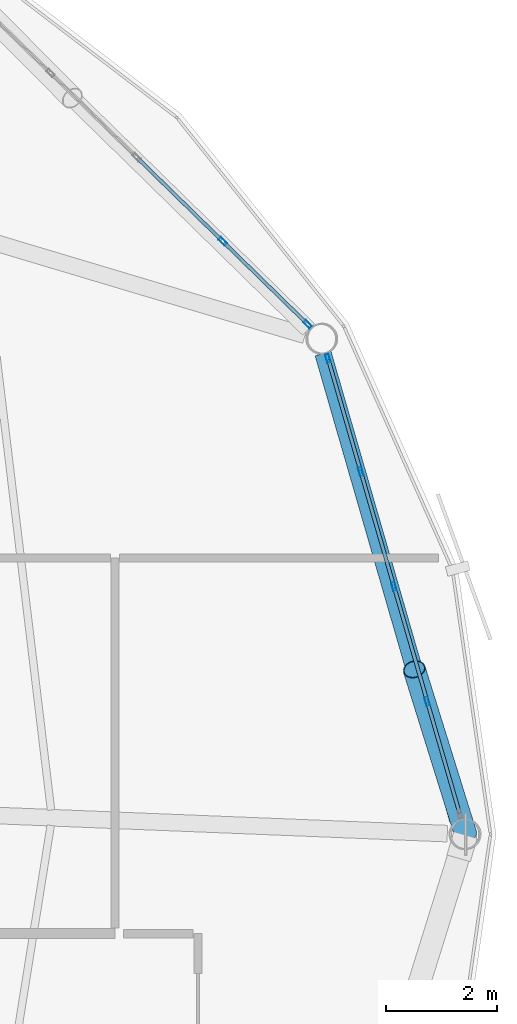
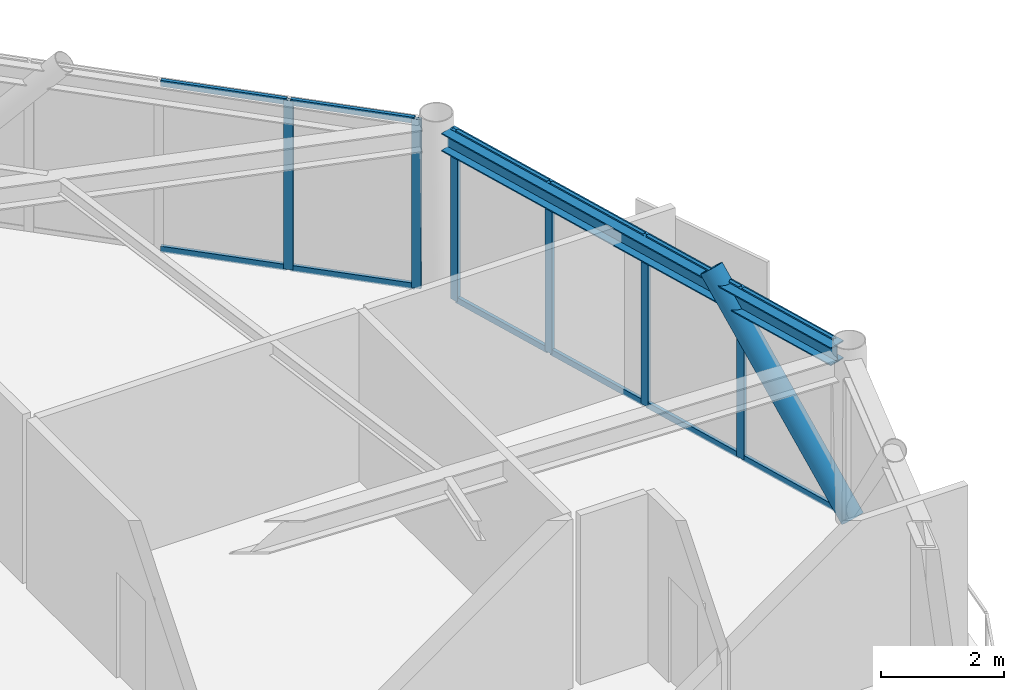
# One storey, part 17 of 27: 19 members, 1 beam, 2 elements without a shape of their own.
"""IFC4 building model written with IfcOpenShell, lengths in metres."""

from ifc_helpers import new_model, si_unit, direction, frame, origin, origin_2d, place, context, subcontext, project, spatial, hollow_rectangle, hollow_circle, i_section, extrude, material, layer, layer_set, material_profile, profile_set, type_object, element, aggregate, save


model = new_model("IFC4")

# Units and contexts
model_context = context("Model", 3, precision=1e-05, world=origin(), true_north=direction((0.0, 1.0)))
body_context = subcontext(model_context, "Body", "Model", "MODEL_VIEW")
ifc_project = project(units=[si_unit("LENGTHUNIT", "METRE"), si_unit("AREAUNIT", "SQUARE_METRE"), si_unit("VOLUMEUNIT", "CUBIC_METRE"), si_unit("PLANEANGLEUNIT", "RADIAN"), si_unit("MASSUNIT", "GRAM", prefix="KILO")], contexts=[model_context])

# Site, building, storey
site_placement = place(None, origin())
site = spatial("IfcSite", under=ifc_project, at=site_placement, CompositionType="ELEMENT")
building_placement = place(site_placement, origin())
building = spatial("IfcBuilding", under=site, at=building_placement, Name="Varnakorn Sky Granary", CompositionType="ELEMENT")
storey_placement = place(building_placement, frame((0.0, 0.0, 249.0)))
storey = spatial("IfcBuildingStorey", under=building, at=storey_placement, Name="L63", CompositionType="ELEMENT", Elevation=249.0)

# Beam
ifc_material_1 = material(Name="Steel S355JR", Category="steel")
ifc_material_profile_1 = material_profile(ifc_material_1, i_section(OverallWidth=0.300048828125, OverallDepth=0.360107421875, WebThickness=0.012451171875, FlangeThickness=0.0224609375, at=origin_2d()), Name="HE 360 B")
ifc_profile_set_1 = profile_set([ifc_material_profile_1], Name="Steel S355JR")
beam_type = type_object("IfcBeamType", Name="BM-SPD-Z5", PredefinedType="SPANDREL", material=ifc_profile_set_1)
beam_placement = place(storey_placement, frame((23.20361328125, 0.254150390625, 3.179931640625), z_axis=(-0.277500910444, 0.960725374237, 0.0), x_axis=(-0.960725374237, -0.277500910444, 0.0)))
element("IfcBeam", 1, at=beam_placement, inside=storey, type_object=beam_type, Name="Perimeter Spandrel Ring Beam RB01 L63", PredefinedType="SPANDREL", context=body_context, shape_type="SweptSolid", body=[
    extrude(i_section(OverallWidth=0.300048828125, OverallDepth=0.360107421875, WebThickness=0.012451171875, FlangeThickness=0.0224609375, at=origin_2d()), origin(), (0.0, 0.0, 1.0), 8.7890625),
])

# Curtain wall, members
ifc_material_2 = material(Name="Anodised Bronze Aluminium Alloy 6063-T6", Category="aluminium")
ifc_layer = layer(ifc_material_2, 0.159912109375, Name="Anodised Bronze Aluminium Alloy 6063-T6")
ifc_layer_set = layer_set([ifc_layer], Name="Anodised Bronze Aluminium Alloy 6063-T6")
curtain_wall_type = type_object("IfcCurtainWallType", Name="CW-OFF-1", PredefinedType="USERDEFINED", material=ifc_layer_set)
curtain_wall_1_placement = place(storey_placement, origin())
curtain_wall_1 = element("IfcCurtainWall", 2, at=curtain_wall_1_placement, inside=storey, type_object=curtain_wall_type, Name="Unitised Curtain Wall CW6 CW-L63-B01", ObjectType="CURTAIN WALL", PredefinedType="USERDEFINED")
ifc_material_profile_2 = material_profile(ifc_material_2, hollow_rectangle(XDim=0.06494140625, YDim=0.159912109375, WallThickness=0.00341796875, at=origin_2d()), Name="ALU MULL 65x160")
ifc_profile_set_2 = profile_set([ifc_material_profile_2], Name="Anodised Bronze Aluminium Alloy 6063-T6")
member_type_1 = type_object("IfcMemberType", Name="CW-OFF-1-MULL", PredefinedType="MULLION", material=ifc_profile_set_2)
member_1_placement = place(storey_placement, frame((20.853515625, 8.611572265625, 0.0), z_axis=(0.0, 0.0, 1.0), x_axis=(0.960610363601, 0.277898775352, 0.0)))
member_1 = element("IfcMember", 3, at=member_1_placement, type_object=member_type_1, Name="CW6 mullion 1", PredefinedType="MULLION", context=body_context, shape_type="SweptSolid", body=[
    extrude(hollow_rectangle(XDim=0.06494140625, YDim=0.159912109375, WallThickness=0.00341796875, at=origin_2d()), origin(), (0.0, 0.0, 1.0), 3.360107421875),
])
member_2_placement = place(storey_placement, frame((21.446044921875, 6.563720703125, 0.0), z_axis=(0.0, 0.0, 1.0), x_axis=(0.960610363601, 0.277898775352, 0.0)))
member_2 = element("IfcMember", 4, at=member_2_placement, type_object=member_type_1, Name="CW6 mullion 2", PredefinedType="MULLION", context=body_context, shape_type="SweptSolid", body=[
    extrude(hollow_rectangle(XDim=0.06494140625, YDim=0.159912109375, WallThickness=0.00341796875, at=origin_2d()), origin(), (0.0, 0.0, 1.0), 3.360107421875),
])
member_3_placement = place(storey_placement, frame((22.047607421875, 4.484619140625, 0.0), z_axis=(0.0, 0.0, 1.0), x_axis=(0.960610363601, 0.277898775352, 0.0)))
member_3 = element("IfcMember", 5, at=member_3_placement, type_object=member_type_1, Name="CW6 mullion 3", PredefinedType="MULLION", context=body_context, shape_type="SweptSolid", body=[
    extrude(hollow_rectangle(XDim=0.06494140625, YDim=0.159912109375, WallThickness=0.00341796875, at=origin_2d()), origin(), (0.0, 0.0, 1.0), 3.360107421875),
])
member_4_placement = place(storey_placement, frame((22.649169921875, 2.4052734375, 0.0), z_axis=(0.0, 0.0, 1.0), x_axis=(0.960610363601, 0.277898775352, 0.0)))
member_4 = element("IfcMember", 6, at=member_4_placement, type_object=member_type_1, Name="CW6 mullion 4", PredefinedType="MULLION", context=body_context, shape_type="SweptSolid", body=[
    extrude(hollow_rectangle(XDim=0.06494140625, YDim=0.159912109375, WallThickness=0.00341796875, at=origin_2d()), origin(), (0.0, 0.0, 1.0), 3.360107421875),
])

curtain_wall_2_placement = place(storey_placement, origin())
curtain_wall_2 = element("IfcCurtainWall", 7, at=curtain_wall_2_placement, inside=storey, type_object=curtain_wall_type, Name="Unitised Curtain Wall CW6 CW-L63-B02", ObjectType="CURTAIN WALL", PredefinedType="USERDEFINED")
member_5_placement = place(storey_placement, frame((18.94873046875, 10.72900390625, 0.0), z_axis=(0.0, 0.0, 1.0), x_axis=(0.698832913663, 0.71528494936, 0.0)))
member_5 = element("IfcMember", 8, at=member_5_placement, type_object=member_type_1, Name="CW6 mullion 4", PredefinedType="MULLION", context=body_context, shape_type="SweptSolid", body=[
    extrude(hollow_rectangle(XDim=0.06494140625, YDim=0.159912109375, WallThickness=0.00341796875, at=origin_2d()), origin(), (0.0, 0.0, 1.0), 3.360107421875),
])
member_6_placement = place(storey_placement, frame((20.484130859375, 9.22900390625, 0.0), z_axis=(0.0, 0.0, 1.0), x_axis=(0.698832913663, 0.71528494936, 0.0)))
member_6 = element("IfcMember", 9, at=member_6_placement, type_object=member_type_1, Name="CW6 mullion 5", PredefinedType="MULLION", context=body_context, shape_type="SweptSolid", body=[
    extrude(hollow_rectangle(XDim=0.06494140625, YDim=0.159912109375, WallThickness=0.00341796875, at=origin_2d()), origin(), (0.0, 0.0, 1.0), 3.360107421875),
])

# Member
ifc_material_profile_3 = material_profile(ifc_material_2, hollow_rectangle(XDim=0.06494140625, YDim=0.1201171875, WallThickness=0.00341796875, at=origin_2d()), Name="ALU TRAN 65x120")
ifc_profile_set_3 = profile_set([ifc_material_profile_3], Name="Anodised Bronze Aluminium Alloy 6063-T6")
member_type_2 = type_object("IfcMemberType", Name="CW-OFF-1-TRAN", PredefinedType="USERDEFINED", material=ifc_profile_set_3)
member_7_placement = place(storey_placement, frame((20.862548828125, 8.58056640625, 0.032470703125), z_axis=(0.277917546695, -0.960604932966, 0.0), x_axis=(0.960604932966, 0.277917546695, 0.0)))
member_7 = element("IfcMember", 10, at=member_7_placement, type_object=member_type_2, Name="CW6 transom 1.1", ObjectType="TRANSOM", PredefinedType="USERDEFINED", context=body_context, shape_type="SweptSolid", body=[
    extrude(hollow_rectangle(XDim=0.06494140625, YDim=0.1201171875, WallThickness=0.00341796875, at=origin_2d()), origin(), (0.0, 0.0, 1.0), 2.067138671875),
])

member_8_placement = place(storey_placement, frame((20.862548828125, 8.58056640625, 3.327392578125), z_axis=(0.277917546695, -0.960604932966, 0.0), x_axis=(0.960604932966, 0.277917546695, 0.0)))
member_8 = element("IfcMember", 11, at=member_8_placement, type_object=member_type_2, Name="CW6 transom 1.2", ObjectType="TRANSOM", PredefinedType="USERDEFINED", context=body_context, shape_type="SweptSolid", body=[
    extrude(hollow_rectangle(XDim=0.06494140625, YDim=0.1201171875, WallThickness=0.00341796875, at=origin_2d()), origin(), (0.0, 0.0, 1.0), 2.067138671875),
])

member_9_placement = place(storey_placement, frame((21.455078125, 6.532470703125, 0.032470703125), z_axis=(0.277914076871, -0.960605936832, 0.0), x_axis=(0.960605936832, 0.277914076871, 0.0)))
member_9 = element("IfcMember", 12, at=member_9_placement, type_object=member_type_2, Name="CW6 transom 2.1", ObjectType="TRANSOM", PredefinedType="USERDEFINED", context=body_context, shape_type="SweptSolid", body=[
    extrude(hollow_rectangle(XDim=0.06494140625, YDim=0.1201171875, WallThickness=0.00341796875, at=origin_2d()), origin(), (0.0, 0.0, 1.0), 2.099609375),
])

member_10_placement = place(storey_placement, frame((21.455078125, 6.532470703125, 3.327392578125), z_axis=(0.277914076871, -0.960605936832, 0.0), x_axis=(0.960605936832, 0.277914076871, 0.0)))
member_10 = element("IfcMember", 13, at=member_10_placement, type_object=member_type_2, Name="CW6 transom 2.2", ObjectType="TRANSOM", PredefinedType="USERDEFINED", context=body_context, shape_type="SweptSolid", body=[
    extrude(hollow_rectangle(XDim=0.06494140625, YDim=0.1201171875, WallThickness=0.00341796875, at=origin_2d()), origin(), (0.0, 0.0, 1.0), 2.099609375),
])

member_11_placement = place(storey_placement, frame((22.056640625, 4.453369140625, 0.032470703125), z_axis=(0.277914076871, -0.960605936832, 0.0), x_axis=(0.960605936832, 0.277914076871, 0.0)))
member_11 = element("IfcMember", 14, at=member_11_placement, type_object=member_type_2, Name="CW6 transom 3.1", ObjectType="TRANSOM", PredefinedType="USERDEFINED", context=body_context, shape_type="SweptSolid", body=[
    extrude(hollow_rectangle(XDim=0.06494140625, YDim=0.1201171875, WallThickness=0.00341796875, at=origin_2d()), origin(), (0.0, 0.0, 1.0), 2.099609375),
])

member_12_placement = place(storey_placement, frame((22.056640625, 4.453369140625, 3.327392578125), z_axis=(0.277914076871, -0.960605936832, 0.0), x_axis=(0.960605936832, 0.277914076871, 0.0)))
member_12 = element("IfcMember", 15, at=member_12_placement, type_object=member_type_2, Name="CW6 transom 3.2", ObjectType="TRANSOM", PredefinedType="USERDEFINED", context=body_context, shape_type="SweptSolid", body=[
    extrude(hollow_rectangle(XDim=0.06494140625, YDim=0.1201171875, WallThickness=0.00341796875, at=origin_2d()), origin(), (0.0, 0.0, 1.0), 2.099609375),
])

member_13_placement = place(storey_placement, frame((22.658203125, 2.3740234375, 0.032470703125), z_axis=(0.277808552079, -0.960636460058, 0.0), x_axis=(0.960636460058, 0.277808552079, 0.0)))
member_13 = element("IfcMember", 16, at=member_13_placement, type_object=member_type_2, Name="CW6 transom 4.1", ObjectType="TRANSOM", PredefinedType="USERDEFINED", context=body_context, shape_type="SweptSolid", body=[
    extrude(hollow_rectangle(XDim=0.06494140625, YDim=0.1201171875, WallThickness=0.00341796875, at=origin_2d()), origin(), (0.0, 0.0, 1.0), 2.06689453125),
])

member_14_placement = place(storey_placement, frame((22.658203125, 2.3740234375, 3.327392578125), z_axis=(0.277808552079, -0.960636460058, 0.0), x_axis=(0.960636460058, 0.277808552079, 0.0)))
member_14 = element("IfcMember", 17, at=member_14_placement, type_object=member_type_2, Name="CW6 transom 4.2", ObjectType="TRANSOM", PredefinedType="USERDEFINED", context=body_context, shape_type="SweptSolid", body=[
    extrude(hollow_rectangle(XDim=0.06494140625, YDim=0.1201171875, WallThickness=0.00341796875, at=origin_2d()), origin(), (0.0, 0.0, 1.0), 2.06689453125),
])

aggregate(curtain_wall_1, [member_1, member_2, member_3, member_4, member_7, member_8, member_9, member_10, member_11, member_12, member_13, member_14])

member_15_placement = place(storey_placement, frame((17.413330078125, 12.229248046875, 0.032470703125), z_axis=(0.715258040249, -0.698860455212, 0.0), x_axis=(0.698860455212, 0.715258040249, 0.0)))
member_15 = element("IfcMember", 18, at=member_15_placement, type_object=member_type_2, Name="CW6 transom 3.1", ObjectType="TRANSOM", PredefinedType="USERDEFINED", context=body_context, shape_type="SweptSolid", body=[
    extrude(hollow_rectangle(XDim=0.06494140625, YDim=0.1201171875, WallThickness=0.00341796875, at=origin_2d()), origin(), (0.0, 0.0, 1.0), 2.1142578125),
])

member_16_placement = place(storey_placement, frame((17.413330078125, 12.229248046875, 3.327392578125), z_axis=(0.715258040249, -0.698860455212, 0.0), x_axis=(0.698860455212, 0.715258040249, 0.0)))
member_16 = element("IfcMember", 19, at=member_16_placement, type_object=member_type_2, Name="CW6 transom 3.2", ObjectType="TRANSOM", PredefinedType="USERDEFINED", context=body_context, shape_type="SweptSolid", body=[
    extrude(hollow_rectangle(XDim=0.06494140625, YDim=0.1201171875, WallThickness=0.00341796875, at=origin_2d()), origin(), (0.0, 0.0, 1.0), 2.1142578125),
])

member_17_placement = place(storey_placement, frame((18.971923828125, 10.706298828125, 0.032470703125), z_axis=(0.715327094579, -0.698789773652, 0.0), x_axis=(0.698789773652, 0.715327094579, 0.0)))
member_17 = element("IfcMember", 20, at=member_17_placement, type_object=member_type_2, Name="CW6 transom 4.1", ObjectType="TRANSOM", PredefinedType="USERDEFINED", context=body_context, shape_type="SweptSolid", body=[
    extrude(hollow_rectangle(XDim=0.06494140625, YDim=0.1201171875, WallThickness=0.00341796875, at=origin_2d()), origin(), (0.0, 0.0, 1.0), 2.08154296875),
])

member_18_placement = place(storey_placement, frame((18.971923828125, 10.706298828125, 3.327392578125), z_axis=(0.715327094579, -0.698789773652, 0.0), x_axis=(0.698789773652, 0.715327094579, 0.0)))
member_18 = element("IfcMember", 21, at=member_18_placement, type_object=member_type_2, Name="CW6 transom 4.2", ObjectType="TRANSOM", PredefinedType="USERDEFINED", context=body_context, shape_type="SweptSolid", body=[
    extrude(hollow_rectangle(XDim=0.06494140625, YDim=0.1201171875, WallThickness=0.00341796875, at=origin_2d()), origin(), (0.0, 0.0, 1.0), 2.08154296875),
])

aggregate(curtain_wall_2, [member_5, member_6, member_15, member_16, member_17, member_18])

ifc_material_3 = material(Name="Steel S460M", Category="steel")
ifc_material_profile_4 = material_profile(ifc_material_3, hollow_circle(Radius=0.203125, WallThickness=0.01611328125, at=origin_2d()), Name="CHS 406.4x16")
ifc_profile_set_4 = profile_set([ifc_material_profile_4], Name="Steel S460M")
member_type_3 = type_object("IfcMemberType", Name="MB-DIAG-T4", PredefinedType="BRACE", material=ifc_profile_set_4)
member_19_placement = place(storey_placement, frame((23.344970703125, 0.0, 0.0), z_axis=(-0.198495078552, 0.636914373868, 0.74494280596), x_axis=(-0.954710420924, -0.297536572844, 0.0)))
element("IfcMember", 22, at=member_19_placement, inside=storey, type_object=member_type_3, Name="Perimeter CHS Diagrid Brace DG01 L63", PredefinedType="BRACE", context=body_context, shape_type="SweptSolid", body=[
    extrude(hollow_circle(Radius=0.203125, WallThickness=0.01611328125, at=origin_2d()), origin(), (0.0, 0.0, 1.0), 4.684814453125),
])

save(model, "model.ifc")
